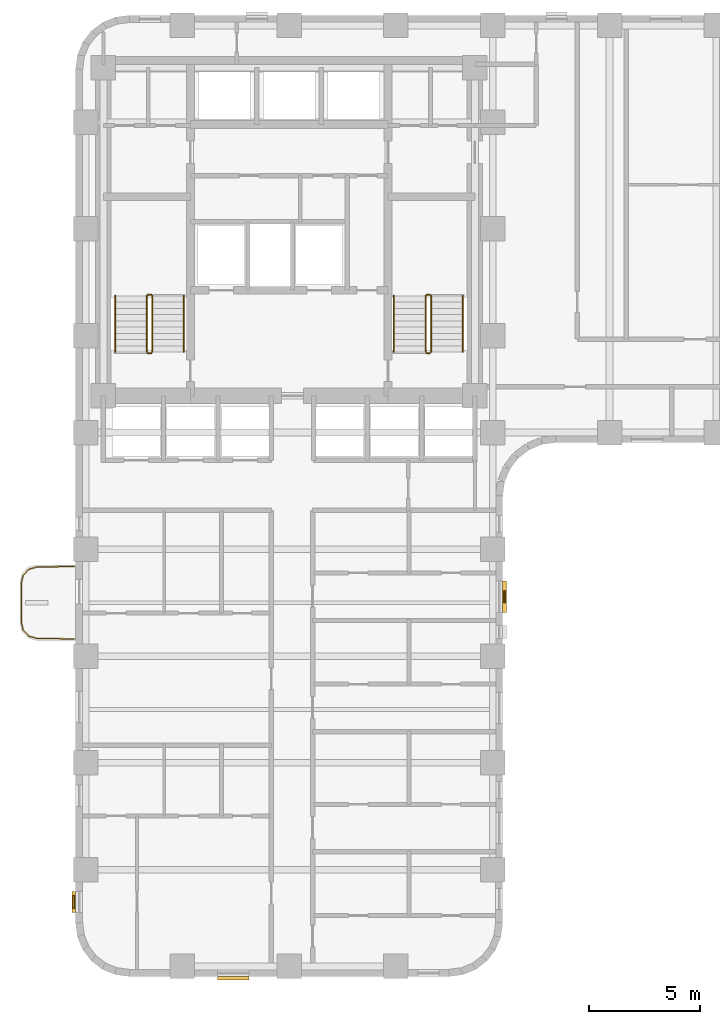
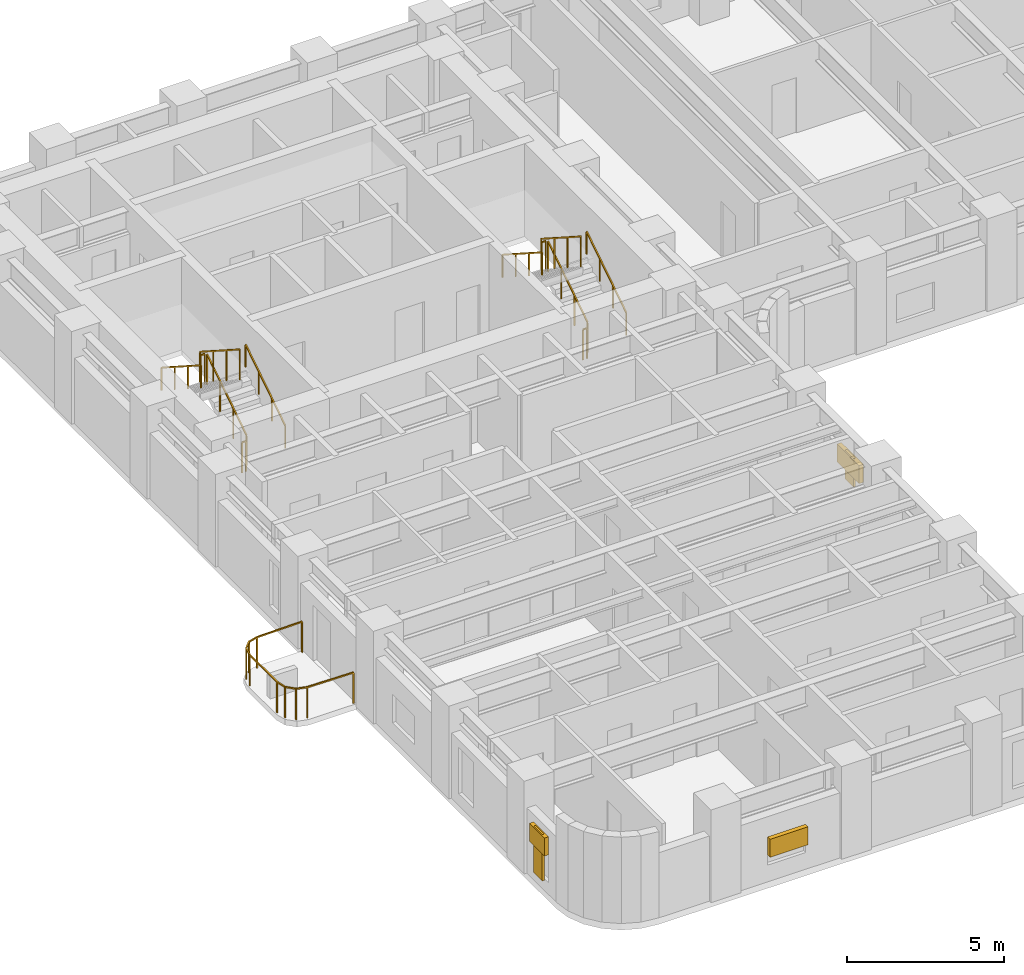
# One storey, part 9 of 12: 13 railings, 5 shading devices.
"""IFC4 building model written with IfcOpenShell, lengths in metres."""

import ifcopenshell
import ifcopenshell.guid

model = None  # the IFC model being written
_history = None  # IfcOwnerHistory: only IFC2X3 demands one
_inside = {}  # id of a spatial element -> (the spatial element, [elements in it])
_under = {}  # id of a project, library or spatial element -> (it, [spatial elements below it])
_declared = {}  # id of a project -> (the project, [libraries it declares])
_typed = {}  # id of a type object -> (the type object, [elements of that type])
_made_of = {}  # id of a material, layer set ... -> (it, [elements and type objects made of it])


def new_model(schema):
    """Start an empty IFC model of exactly this schema.

    Asked for "IFC4X3", IfcOpenShell would pick the latest addendum, in which some entities
    have other attributes; the version numbers below select the first issue.
    IFC2X3 requires an IfcOwnerHistory on every rooted entity: one is made here for all.
    """
    global model, _history
    if schema == "IFC4X3":
        model = ifcopenshell.file(schema_version=(4, 3, 0, 0))
    else:
        model = ifcopenshell.file(schema=schema)
    _inside.clear()
    _under.clear()
    _declared.clear()
    _typed.clear()
    _made_of.clear()
    _history = None
    if model.schema == "IFC2X3":
        org = make("IfcOrganization", Name="unknown")
        user = make(
            "IfcPersonAndOrganization",
            ThePerson=make("IfcPerson", FamilyName="unknown"),
            TheOrganization=org,
        )
        app = make(
            "IfcApplication",
            ApplicationDeveloper=org,
            Version="unknown",
            ApplicationFullName="unknown",
            ApplicationIdentifier="unknown",
        )
        _history = make(
            "IfcOwnerHistory",
            OwningUser=user,
            OwningApplication=app,
            ChangeAction="ADDED",
            CreationDate=0,
        )
    return model


def make(cls, **values):
    """One entity of the class cls with the attributes given. An attribute that is None is left unset."""
    return model.create_entity(
        cls, **{name: value for name, value in values.items() if value is not None}
    )


def rooted(cls, **values):
    """An entity with a GlobalId (a new one), such as an element, a storey or a relation."""
    return make(cls, GlobalId=ifcopenshell.guid.new(), OwnerHistory=_history, **values)


def si_unit(unit_type, name, prefix=None):
    """IfcSIUnit, for example si_unit("LENGTHUNIT", "METRE", prefix="MILLI")."""
    return make("IfcSIUnit", UnitType=unit_type, Prefix=prefix, Name=name)


def assignment(units):
    """IfcUnitAssignment: the units of a project."""
    return None if units is None else make("IfcUnitAssignment", Units=units)


def point(xyz):
    """IfcCartesianPoint."""
    return None if xyz is None else make("IfcCartesianPoint", Coordinates=xyz)


def direction(xyz):
    """IfcDirection."""
    return None if xyz is None else make("IfcDirection", DirectionRatios=xyz)


def frame(location, z_axis=None, x_axis=None):
    """IfcAxis2Placement3D, a coordinate frame: its origin and axes. An axis left out is left unset."""
    return make(
        "IfcAxis2Placement3D",
        Location=point(location),
        Axis=direction(z_axis),
        RefDirection=direction(x_axis),
    )


def frame_2d(location, x_axis=None):
    """IfcAxis2Placement2D, a coordinate frame in the plane: its origin and x axis."""
    return make(
        "IfcAxis2Placement2D", Location=point(location), RefDirection=direction(x_axis)
    )


def origin():
    """The frame at (0, 0, 0) with its axes left unset."""
    return frame((0.0, 0.0, 0.0))


def origin_2d():
    """The frame at (0, 0) in the plane with its x axis left unset."""
    return frame_2d((0.0, 0.0))


def place(relative_to, where):
    """IfcLocalPlacement: puts the frame where relative to a parent placement (None: the world)."""
    return make(
        "IfcLocalPlacement", PlacementRelTo=relative_to, RelativePlacement=where
    )


def context(
    kind, dimensions, precision=None, world=None, true_north=None, identifier=None
):
    """IfcGeometricRepresentationContext, for example the 3D "Model" context."""
    return make(
        "IfcGeometricRepresentationContext",
        ContextIdentifier=identifier,
        ContextType=kind,
        CoordinateSpaceDimension=dimensions,
        Precision=precision,
        WorldCoordinateSystem=world,
        TrueNorth=true_north,
    )


def subcontext(parent, identifier, kind, view, scale=None):
    """IfcGeometricRepresentationSubContext, for example "Body" below "Model"."""
    return make(
        "IfcGeometricRepresentationSubContext",
        ContextIdentifier=identifier,
        ContextType=kind,
        ParentContext=parent,
        TargetScale=scale,
        TargetView=view,
    )


def project(units=None, contexts=None):
    """IfcProject with its units and contexts."""
    return rooted(
        "IfcProject",
        Name="project",
        RepresentationContexts=contexts,
        UnitsInContext=assignment(units),
    )


def spatial(cls, under=None, at=None, **own):
    """A site, building, storey or space (cls), placed at a placement, below another one or the project."""
    s = rooted(cls, ObjectPlacement=at, **own)
    if under is not None:
        _under.setdefault(under.id(), (under, []))[1].append(s)
    return s


def profile(cls, at=None, kind="AREA", **sizes):
    """A parametric profile (cls). Its sizes go by their IFC names, for example OverallWidth=200.0."""
    return make(cls, ProfileType=kind, Position=at, **sizes)


def rectangle(**sizes):
    """IfcRectangleProfileDef."""
    return profile("IfcRectangleProfileDef", **sizes)


def extrude(swept, where, along, depth):
    """IfcExtrudedAreaSolid: the profile swept, set in the frame where, extruded along a direction by depth."""
    return make(
        "IfcExtrudedAreaSolid",
        SweptArea=swept,
        Position=where,
        ExtrudedDirection=direction(along),
        Depth=depth,
    )


def shape(context_of_items, identifier, shape_type, items):
    """IfcShapeRepresentation: the items that make up one representation, for example the "Body"."""
    return make(
        "IfcShapeRepresentation",
        ContextOfItems=context_of_items,
        RepresentationIdentifier=identifier,
        RepresentationType=shape_type,
        Items=items,
    )


def material(Name=None, Category=None):
    """IfcMaterial."""
    return make("IfcMaterial", Name=Name, Category=Category)


def made_of(thing, what):
    """Note that an element or type object is made of a material, layer set ...; save() writes the relation."""
    if what is not None:
        _made_of.setdefault(what.id(), (what, []))[1].append(thing)
    return thing


def type_object(cls, material=None, **own):
    """A type object (cls), such as IfcWallType, which elements share."""
    return made_of(rooted(cls, **own), material)


def element(
    cls,
    number,
    at=None,
    inside=None,
    cuts=None,
    type_object=None,
    material=None,
    context=None,
    identifier="Body",
    shape_type=None,
    held_by="IfcProductDefinitionShape",
    body=None,
    shapes=None,
    **own,
):
    """One element of the class cls, such as IfcWall. Its Tag is "e" and its number.

    at: its placement. inside: the storey or other place that contains it. cuts: it is an
    opening in that element (IfcRelVoidsElement). A single representation is given by context,
    identifier, shape_type and body (its items); several are given by shapes. held_by: the class
    of the entity that holds the representations. save() writes the other relations.
    """
    e = rooted(cls, Tag="e%d" % number, ObjectPlacement=at, **own)
    if body is not None:
        shapes = [shape(context, identifier, shape_type, body)]
    if shapes is not None:
        e.Representation = make(held_by, Representations=shapes)
    if inside is not None:
        _inside.setdefault(inside.id(), (inside, []))[1].append(e)
    if cuts is not None:
        rooted(
            "IfcRelVoidsElement", RelatingBuildingElement=cuts, RelatedOpeningElement=e
        )
    if type_object is not None:
        _typed.setdefault(type_object.id(), (type_object, []))[1].append(e)
    return made_of(e, material)


def aggregate(whole, parts):
    """IfcRelAggregates: a whole, such as a stair, and the parts it consists of."""
    return rooted("IfcRelAggregates", RelatingObject=whole, RelatedObjects=parts)


def save(model, path):
    """Write the relations noted so far, then the file.

    IfcRelAggregates (storeys below a building ...), IfcRelContainedInSpatialStructure (elements
    in a storey), IfcRelDefinesByType, IfcRelAssociatesMaterial and IfcRelDeclares: one each for
    every whole, place, type object, material and project.
    """
    for whole, parts in _under.values():
        aggregate(whole, parts)
    for where, things in _inside.values():
        rooted(
            "IfcRelContainedInSpatialStructure",
            RelatedElements=things,
            RelatingStructure=where,
        )
    for kind, things in _typed.values():
        rooted("IfcRelDefinesByType", RelatedObjects=things, RelatingType=kind)
    for what, things in _made_of.values():
        rooted("IfcRelAssociatesMaterial", RelatedObjects=things, RelatingMaterial=what)
    for by, libraries in _declared.values():
        rooted("IfcRelDeclares", RelatingContext=by, RelatedDefinitions=libraries)
    model.write(path)


model = new_model("IFC4")

# Units and contexts
model_context = context("Model", 3, precision=1e-05, world=origin(), true_north=direction((0.0, 1.0)))
body_context = subcontext(model_context, "Body", "Model", "MODEL_VIEW")
ifc_project = project(units=[si_unit("LENGTHUNIT", "METRE"), si_unit("AREAUNIT", "SQUARE_METRE"), si_unit("VOLUMEUNIT", "CUBIC_METRE"), si_unit("PLANEANGLEUNIT", "RADIAN"), si_unit("MASSUNIT", "GRAM", prefix="KILO")], contexts=[model_context])

# Site, building, storey
site_placement = place(None, origin())
site = spatial("IfcSite", under=ifc_project, at=site_placement, CompositionType="ELEMENT")
building_placement = place(site_placement, origin())
building = spatial("IfcBuilding", under=site, at=building_placement, Name="Orvandelia Arch Residences", CompositionType="ELEMENT")
storey_placement = place(building_placement, frame((0.0, 0.0, 57.39990234375)))
storey = spatial("IfcBuildingStorey", under=building, at=storey_placement, Name="L14", CompositionType="ELEMENT", Elevation=57.39990234375)

# Railings
ifc_material_1 = material(Name="Marine-Grade Stainless Steel 316", Category="steel")
railing_type_1 = type_object("IfcRailingType", Name="GRD-BAL-1200", PredefinedType="BALUSTRADE", material=ifc_material_1)
railing_1_placement = place(storey_placement, frame((4.728271484375, 23.23046875, 0.0)))
element("IfcRailing", 1, at=railing_1_placement, inside=storey, type_object=railing_type_1, Name="Safety Balustrade Guard GRD-L14-BAL-L14-W1-1", PredefinedType="BALUSTRADE", context=body_context, shape_type="SweptSolid", body=[
    extrude(rectangle(XDim=0.048095703125, YDim=0.048095703125, at=origin_2d()), frame((0.0, 0.0, 1.19580078125), z_axis=(-0.999834751713, -0.018178813668, 0.0), x_axis=(0.018178813668, -0.999834751713, 0.0)), (0.0, 0.0, 1.0), 1.6787109375),
    extrude(rectangle(XDim=0.048095703125, YDim=0.048095703125, at=origin_2d()), frame((-1.678466796875, -0.030517578125, 1.19580078125), z_axis=(-0.96348920644, -0.267747173792, 0.0), x_axis=(0.267747173792, -0.96348920644, 0.0)), (0.0, 0.0, 1.0), 0.36572265625),
    extrude(rectangle(XDim=0.048095703125, YDim=0.048095703125, at=origin_2d()), frame((-2.03076171875, -0.12841796875, 1.19580078125), z_axis=(-0.688627404251, -0.725115368831, 0.0), x_axis=(0.725115368831, -0.688627404251, 0.0)), (0.0, 0.0, 1.0), 0.367919921875),
    extrude(rectangle(XDim=0.048095703125, YDim=0.048095703125, at=origin_2d()), frame((-2.2841796875, -0.395263671875, 1.19580078125), z_axis=(-0.220461657419, -0.975395641577, 0.0), x_axis=(0.975395641577, -0.220461657419, 0.0)), (0.0, 0.0, 1.0), 0.373291015625),
    extrude(rectangle(XDim=0.048095703125, YDim=0.048095703125, at=origin_2d()), frame((-2.366455078125, -0.75927734375, 1.19580078125), z_axis=(0.0, -1.0, 0.0), x_axis=(1.0, 0.0, 0.0)), (0.0, 0.0, 1.0), 1.742431640625),
    extrude(rectangle(XDim=0.048095703125, YDim=0.048095703125, at=origin_2d()), frame((-2.366455078125, -2.501708984375, 1.19580078125), z_axis=(0.220602419982, -0.975363815352, 0.0), x_axis=(0.975363815352, 0.220602419982, 0.0)), (0.0, 0.0, 1.0), 0.373046875),
    extrude(rectangle(XDim=0.048095703125, YDim=0.048095703125, at=origin_2d()), frame((-2.2841796875, -2.865478515625, 1.19580078125), z_axis=(0.688296224633, -0.725429739642, 0.0), x_axis=(0.725429739642, 0.688296224633, 0.0)), (0.0, 0.0, 1.0), 0.3681640625),
    extrude(rectangle(XDim=0.048095703125, YDim=0.048095703125, at=origin_2d()), frame((-2.03076171875, -3.132568359375, 1.19580078125), z_axis=(0.96348920644, -0.267747173792, 0.0), x_axis=(0.267747173792, 0.96348920644, 0.0)), (0.0, 0.0, 1.0), 0.36572265625),
    extrude(rectangle(XDim=0.048095703125, YDim=0.048095703125, at=origin_2d()), frame((-1.678466796875, -3.23046875, 1.19580078125), z_axis=(0.999834751713, -0.018178813668, 0.0), x_axis=(0.018178813668, 0.999834751713, 0.0)), (0.0, 0.0, 1.0), 1.6787109375),
    extrude(rectangle(XDim=0.0419921875, YDim=0.0419921875, at=origin_2d()), origin(), (0.0, 0.0, 1.0), 1.171875),
    extrude(rectangle(XDim=0.0419921875, YDim=0.0419921875, at=origin_2d()), frame((-1.678466796875, -0.030517578125, 0.0)), (0.0, 0.0, 1.0), 1.171875),
    extrude(rectangle(XDim=0.0419921875, YDim=0.0419921875, at=origin_2d()), frame((-2.03076171875, -0.12841796875, 0.0)), (0.0, 0.0, 1.0), 1.171875),
    extrude(rectangle(XDim=0.0419921875, YDim=0.0419921875, at=origin_2d()), frame((-2.2841796875, -0.395263671875, 0.0)), (0.0, 0.0, 1.0), 1.171875),
    extrude(rectangle(XDim=0.0419921875, YDim=0.0419921875, at=origin_2d()), frame((-2.366455078125, -0.75927734375, 0.0)), (0.0, 0.0, 1.0), 1.171875),
    extrude(rectangle(XDim=0.0419921875, YDim=0.0419921875, at=origin_2d()), frame((-2.366455078125, -2.501708984375, 0.0)), (0.0, 0.0, 1.0), 1.171875),
    extrude(rectangle(XDim=0.0419921875, YDim=0.0419921875, at=origin_2d()), frame((-2.2841796875, -2.865478515625, 0.0)), (0.0, 0.0, 1.0), 1.171875),
    extrude(rectangle(XDim=0.0419921875, YDim=0.0419921875, at=origin_2d()), frame((-2.03076171875, -3.132568359375, 0.0)), (0.0, 0.0, 1.0), 1.171875),
    extrude(rectangle(XDim=0.0419921875, YDim=0.0419921875, at=origin_2d()), frame((-1.678466796875, -3.23046875, 0.0)), (0.0, 0.0, 1.0), 1.171875),
    extrude(rectangle(XDim=0.0419921875, YDim=0.0419921875, at=origin_2d()), frame((0.0, -3.260986328125, 0.0)), (0.0, 0.0, 1.0), 1.171875),
])
ifc_material_2 = material(Name="Brushed Stainless Steel 304", Category="steel")
railing_type_2 = type_object("IfcRailingType", Name="RL-STAIR-GD1120", PredefinedType="GUARDRAIL", material=ifc_material_2)
railing_2_placement = place(storey_placement, frame((8.25, 32.8701171875, 0.18017578125)))
element("IfcRailing", 2, at=railing_2_placement, inside=storey, type_object=railing_type_2, Name="L14 ST-1 stair guard 1", PredefinedType="GUARDRAIL", context=body_context, shape_type="SweptSolid", body=[
    extrude(rectangle(XDim=0.048095703125, YDim=0.048095703125, at=origin_2d()), frame((0.0, 0.0, 1.17578125), z_axis=(0.0, 0.841175827307, 0.540761710511), x_axis=(-1.0, 0.0, 0.0)), (0.0, 0.0, 1.0), 2.99560546875),
    extrude(rectangle(XDim=0.0419921875, YDim=0.0419921875, at=origin_2d()), origin(), (0.0, 0.0, 1.0), 1.15185546875),
    extrude(rectangle(XDim=0.0419921875, YDim=0.0419921875, at=origin_2d()), frame((0.0, 0.83984375, 0.5400390625)), (0.0, 0.0, 1.0), 1.15185546875),
    extrude(rectangle(XDim=0.0419921875, YDim=0.0419921875, at=origin_2d()), frame((0.0, 1.679931640625, 1.079833984375)), (0.0, 0.0, 1.0), 1.15185546875),
    extrude(rectangle(XDim=0.0419921875, YDim=0.0419921875, at=origin_2d()), frame((0.0, 2.519775390625, 1.619873046875)), (0.0, 0.0, 1.0), 1.15185546875),
])
railing_3_placement = place(storey_placement, frame((8.199951171875, 35.43994140625, 1.800048828125)))
element("IfcRailing", 3, at=railing_3_placement, inside=storey, type_object=railing_type_2, Name="L14 ST-1 stair guard 2", PredefinedType="GUARDRAIL", context=body_context, shape_type="SweptSolid", body=[
    extrude(rectangle(XDim=0.048095703125, YDim=0.048095703125, at=origin_2d()), frame((0.0, 0.0, 1.17578125), z_axis=(-1.0, 0.0, 0.0), x_axis=(0.0, -1.0, 0.0)), (0.0, 0.0, 1.0), 0.14990234375),
    extrude(rectangle(XDim=0.0419921875, YDim=0.0419921875, at=origin_2d()), origin(), (0.0, 0.0, 1.0), 1.15185546875),
    extrude(rectangle(XDim=0.0419921875, YDim=0.0419921875, at=origin_2d()), frame((-0.14990234375, 0.0, 0.0)), (0.0, 0.0, 1.0), 1.15185546875),
])
railing_4_placement = place(storey_placement, frame((8.0, 35.389892578125, 1.97998046875)))
element("IfcRailing", 4, at=railing_4_placement, inside=storey, type_object=railing_type_2, Name="L14 ST-1 stair guard 3", PredefinedType="GUARDRAIL", context=body_context, shape_type="SweptSolid", body=[
    extrude(rectangle(XDim=0.048095703125, YDim=0.048095703125, at=origin_2d()), frame((0.0, 0.0, 1.17578125), z_axis=(0.0, -0.841138753965, 0.540819375188), x_axis=(1.0, 0.0, 0.0)), (0.0, 0.0, 1.0), 2.99560546875),
    extrude(rectangle(XDim=0.0419921875, YDim=0.0419921875, at=origin_2d()), origin(), (0.0, 0.0, 1.0), 1.15185546875),
    extrude(rectangle(XDim=0.0419921875, YDim=0.0419921875, at=origin_2d()), frame((0.0, -0.83984375, 0.5400390625)), (0.0, 0.0, 1.0), 1.15185546875),
    extrude(rectangle(XDim=0.0419921875, YDim=0.0419921875, at=origin_2d()), frame((0.0, -1.679931640625, 1.080078125)), (0.0, 0.0, 1.0), 1.15185546875),
    extrude(rectangle(XDim=0.0419921875, YDim=0.0419921875, at=origin_2d()), frame((0.0, -2.519775390625, 1.6201171875)), (0.0, 0.0, 1.0), 1.15185546875),
])
railing_5_placement = place(storey_placement, frame((8.199951171875, 32.820068359375, 0.0)))
element("IfcRailing", 5, at=railing_5_placement, inside=storey, type_object=railing_type_2, Name="L14 ST-1 stair guard 4", PredefinedType="GUARDRAIL", context=body_context, shape_type="SweptSolid", body=[
    extrude(rectangle(XDim=0.048095703125, YDim=0.048095703125, at=origin_2d()), frame((0.0, 0.0, 1.17578125), z_axis=(-1.0, 0.0, 0.0), x_axis=(0.0, -1.0, 0.0)), (0.0, 0.0, 1.0), 0.14990234375),
    extrude(rectangle(XDim=0.0419921875, YDim=0.0419921875, at=origin_2d()), origin(), (0.0, 0.0, 1.0), 1.15185546875),
    extrude(rectangle(XDim=0.0419921875, YDim=0.0419921875, at=origin_2d()), frame((-0.14990234375, 0.0, 0.0)), (0.0, 0.0, 1.0), 1.15185546875),
])
railing_6_placement = place(storey_placement, frame((20.780029296875, 32.8701171875, 0.18017578125)))
element("IfcRailing", 6, at=railing_6_placement, inside=storey, type_object=railing_type_2, Name="L14 ST-2 stair guard 1", PredefinedType="GUARDRAIL", context=body_context, shape_type="SweptSolid", body=[
    extrude(rectangle(XDim=0.048095703125, YDim=0.048095703125, at=origin_2d()), frame((0.0, 0.0, 1.17578125), z_axis=(0.0, 0.841175827307, 0.540761710511), x_axis=(-1.0, 0.0, 0.0)), (0.0, 0.0, 1.0), 2.99560546875),
    extrude(rectangle(XDim=0.0419921875, YDim=0.0419921875, at=origin_2d()), origin(), (0.0, 0.0, 1.0), 1.15185546875),
    extrude(rectangle(XDim=0.0419921875, YDim=0.0419921875, at=origin_2d()), frame((0.0, 0.83984375, 0.5400390625)), (0.0, 0.0, 1.0), 1.15185546875),
    extrude(rectangle(XDim=0.0419921875, YDim=0.0419921875, at=origin_2d()), frame((0.0, 1.679931640625, 1.079833984375)), (0.0, 0.0, 1.0), 1.15185546875),
    extrude(rectangle(XDim=0.0419921875, YDim=0.0419921875, at=origin_2d()), frame((0.0, 2.519775390625, 1.619873046875)), (0.0, 0.0, 1.0), 1.15185546875),
])
railing_7_placement = place(storey_placement, frame((20.72998046875, 35.43994140625, 1.800048828125)))
element("IfcRailing", 7, at=railing_7_placement, inside=storey, type_object=railing_type_2, Name="L14 ST-2 stair guard 2", PredefinedType="GUARDRAIL", context=body_context, shape_type="SweptSolid", body=[
    extrude(rectangle(XDim=0.048095703125, YDim=0.048095703125, at=origin_2d()), frame((0.0, 0.0, 1.17578125), z_axis=(-1.0, 0.0, 0.0), x_axis=(0.0, -1.0, 0.0)), (0.0, 0.0, 1.0), 0.14990234375),
    extrude(rectangle(XDim=0.0419921875, YDim=0.0419921875, at=origin_2d()), origin(), (0.0, 0.0, 1.0), 1.15185546875),
    extrude(rectangle(XDim=0.0419921875, YDim=0.0419921875, at=origin_2d()), frame((-0.14990234375, 0.0, 0.0)), (0.0, 0.0, 1.0), 1.15185546875),
])
railing_8_placement = place(storey_placement, frame((20.530029296875, 35.389892578125, 1.97998046875)))
element("IfcRailing", 8, at=railing_8_placement, inside=storey, type_object=railing_type_2, Name="L14 ST-2 stair guard 3", PredefinedType="GUARDRAIL", context=body_context, shape_type="SweptSolid", body=[
    extrude(rectangle(XDim=0.048095703125, YDim=0.048095703125, at=origin_2d()), frame((0.0, 0.0, 1.17578125), z_axis=(0.0, -0.841138753965, 0.540819375188), x_axis=(1.0, 0.0, 0.0)), (0.0, 0.0, 1.0), 2.99560546875),
    extrude(rectangle(XDim=0.0419921875, YDim=0.0419921875, at=origin_2d()), origin(), (0.0, 0.0, 1.0), 1.15185546875),
    extrude(rectangle(XDim=0.0419921875, YDim=0.0419921875, at=origin_2d()), frame((0.0, -0.83984375, 0.5400390625)), (0.0, 0.0, 1.0), 1.15185546875),
    extrude(rectangle(XDim=0.0419921875, YDim=0.0419921875, at=origin_2d()), frame((0.0, -1.679931640625, 1.080078125)), (0.0, 0.0, 1.0), 1.15185546875),
    extrude(rectangle(XDim=0.0419921875, YDim=0.0419921875, at=origin_2d()), frame((0.0, -2.519775390625, 1.6201171875)), (0.0, 0.0, 1.0), 1.15185546875),
])
railing_9_placement = place(storey_placement, frame((20.72998046875, 32.820068359375, 0.0)))
element("IfcRailing", 9, at=railing_9_placement, inside=storey, type_object=railing_type_2, Name="L14 ST-2 stair guard 4", PredefinedType="GUARDRAIL", context=body_context, shape_type="SweptSolid", body=[
    extrude(rectangle(XDim=0.048095703125, YDim=0.048095703125, at=origin_2d()), frame((0.0, 0.0, 1.17578125), z_axis=(-1.0, 0.0, 0.0), x_axis=(0.0, -1.0, 0.0)), (0.0, 0.0, 1.0), 0.14990234375),
    extrude(rectangle(XDim=0.0419921875, YDim=0.0419921875, at=origin_2d()), origin(), (0.0, 0.0, 1.0), 1.15185546875),
    extrude(rectangle(XDim=0.0419921875, YDim=0.0419921875, at=origin_2d()), frame((-0.14990234375, 0.0, 0.0)), (0.0, 0.0, 1.0), 1.15185546875),
])
railing_type_3 = type_object("IfcRailingType", Name="RL-STAIR-HR920", PredefinedType="HANDRAIL", material=ifc_material_2)
railing_10_placement = place(storey_placement, frame((9.669921875, 32.8701171875, 0.360107421875)))
element("IfcRailing", 10, at=railing_10_placement, inside=storey, type_object=railing_type_3, Name="L14 ST-1 stair handrail 1", PredefinedType="HANDRAIL", context=body_context, shape_type="SweptSolid", body=[
    extrude(rectangle(XDim=0.048095703125, YDim=0.048095703125, at=origin_2d()), frame((0.0, 0.0, 0.8759765625), z_axis=(0.0, 0.841175827307, 0.540761710511), x_axis=(-1.0, 0.0, 0.0)), (0.0, 0.0, 1.0), 2.99560546875),
    extrude(rectangle(XDim=0.0419921875, YDim=0.0419921875, at=origin_2d()), origin(), (0.0, 0.0, 1.0), 0.851806640625),
    extrude(rectangle(XDim=0.0419921875, YDim=0.0419921875, at=origin_2d()), frame((0.0, 0.83984375, 0.5400390625)), (0.0, 0.0, 1.0), 0.851806640625),
    extrude(rectangle(XDim=0.0419921875, YDim=0.0419921875, at=origin_2d()), frame((0.0, 1.679931640625, 1.079833984375)), (0.0, 0.0, 1.0), 0.851806640625),
    extrude(rectangle(XDim=0.0419921875, YDim=0.0419921875, at=origin_2d()), frame((0.0, 2.519775390625, 1.619873046875)), (0.0, 0.0, 1.0), 0.851806640625),
])
railing_11_placement = place(storey_placement, frame((6.580078125, 35.389892578125, 2.16015625)))
element("IfcRailing", 11, at=railing_11_placement, inside=storey, type_object=railing_type_3, Name="L14 ST-1 stair handrail 2", PredefinedType="HANDRAIL", context=body_context, shape_type="SweptSolid", body=[
    extrude(rectangle(XDim=0.048095703125, YDim=0.048095703125, at=origin_2d()), frame((0.0, 0.0, 0.8759765625), z_axis=(0.0, -0.841175827307, 0.540761710511), x_axis=(1.0, 0.0, 0.0)), (0.0, 0.0, 1.0), 2.99560546875),
    extrude(rectangle(XDim=0.0419921875, YDim=0.0419921875, at=origin_2d()), origin(), (0.0, 0.0, 1.0), 0.851806640625),
    extrude(rectangle(XDim=0.0419921875, YDim=0.0419921875, at=origin_2d()), frame((0.0, -0.83984375, 0.5400390625)), (0.0, 0.0, 1.0), 0.851806640625),
    extrude(rectangle(XDim=0.0419921875, YDim=0.0419921875, at=origin_2d()), frame((0.0, -1.679931640625, 1.079833984375)), (0.0, 0.0, 1.0), 0.851806640625),
    extrude(rectangle(XDim=0.0419921875, YDim=0.0419921875, at=origin_2d()), frame((0.0, -2.519775390625, 1.619873046875)), (0.0, 0.0, 1.0), 0.851806640625),
])
railing_12_placement = place(storey_placement, frame((22.199951171875, 32.8701171875, 0.360107421875)))
element("IfcRailing", 12, at=railing_12_placement, inside=storey, type_object=railing_type_3, Name="L14 ST-2 stair handrail 1", PredefinedType="HANDRAIL", context=body_context, shape_type="SweptSolid", body=[
    extrude(rectangle(XDim=0.048095703125, YDim=0.048095703125, at=origin_2d()), frame((0.0, 0.0, 0.8759765625), z_axis=(0.0, 0.841175827307, 0.540761710511), x_axis=(-1.0, 0.0, 0.0)), (0.0, 0.0, 1.0), 2.99560546875),
    extrude(rectangle(XDim=0.0419921875, YDim=0.0419921875, at=origin_2d()), origin(), (0.0, 0.0, 1.0), 0.851806640625),
    extrude(rectangle(XDim=0.0419921875, YDim=0.0419921875, at=origin_2d()), frame((0.0, 0.83984375, 0.5400390625)), (0.0, 0.0, 1.0), 0.851806640625),
    extrude(rectangle(XDim=0.0419921875, YDim=0.0419921875, at=origin_2d()), frame((0.0, 1.679931640625, 1.079833984375)), (0.0, 0.0, 1.0), 0.851806640625),
    extrude(rectangle(XDim=0.0419921875, YDim=0.0419921875, at=origin_2d()), frame((0.0, 2.519775390625, 1.619873046875)), (0.0, 0.0, 1.0), 0.851806640625),
])
railing_13_placement = place(storey_placement, frame((19.110107421875, 35.389892578125, 2.16015625)))
element("IfcRailing", 13, at=railing_13_placement, inside=storey, type_object=railing_type_3, Name="L14 ST-2 stair handrail 2", PredefinedType="HANDRAIL", context=body_context, shape_type="SweptSolid", body=[
    extrude(rectangle(XDim=0.048095703125, YDim=0.048095703125, at=origin_2d()), frame((0.0, 0.0, 0.8759765625), z_axis=(0.0, -0.841175827307, 0.540761710511), x_axis=(1.0, 0.0, 0.0)), (0.0, 0.0, 1.0), 2.99560546875),
    extrude(rectangle(XDim=0.0419921875, YDim=0.0419921875, at=origin_2d()), origin(), (0.0, 0.0, 1.0), 0.851806640625),
    extrude(rectangle(XDim=0.0419921875, YDim=0.0419921875, at=origin_2d()), frame((0.0, -0.83984375, 0.5400390625)), (0.0, 0.0, 1.0), 0.851806640625),
    extrude(rectangle(XDim=0.0419921875, YDim=0.0419921875, at=origin_2d()), frame((0.0, -1.679931640625, 1.079833984375)), (0.0, 0.0, 1.0), 0.851806640625),
    extrude(rectangle(XDim=0.0419921875, YDim=0.0419921875, at=origin_2d()), frame((0.0, -2.519775390625, 1.619873046875)), (0.0, 0.0, 1.0), 0.851806640625),
])

# Shading devices
ifc_material_3 = material(Name="Anodised Champagne-Bronze Extruded Aluminium", Category="aluminium")
shading_device_type_1 = type_object("IfcShadingDeviceType", Name="SHD-JALOUSIE-SCREEN", PredefinedType="JALOUSIE", material=ifc_material_3)
for number, where, z_axis, x_axis, name in (
    (14, (24.080078125, 21.8701171875, 1.05029296875), (0.0, 0.0, 1.0), (0.0, -1.0, 0.0), "Bronze Jalousie Sun-Shade L14-006"),
    (15, (11.885009765625, 4.719970703125, 1.05029296875), (0.0, 0.0, 1.0), (-1.0, 0.0, 0.0), "Bronze Jalousie Sun-Shade L14-008"),
):
    element("IfcShadingDevice", number, at=place(storey_placement, frame(where, z_axis=z_axis, x_axis=x_axis)), inside=storey, type_object=shading_device_type_1, Name=name, PredefinedType="JALOUSIE", context=body_context, shape_type="SweptSolid", body=[
        extrude(rectangle(XDim=1.39990234375, YDim=0.159912109375, at=origin_2d()), origin(), (0.0, 0.0, 1.0), 0.699951171875),
    ])
shading_device_1_placement = place(storey_placement, frame((4.719970703125, 8.14501953125, 1.55029296875), z_axis=(0.0, 0.0, 1.0), x_axis=(0.0, 1.0, 0.0)))
element("IfcShadingDevice", 16, at=shading_device_1_placement, inside=storey, type_object=shading_device_type_1, Name="Bronze Jalousie Sun-Shade L14-009", PredefinedType="JALOUSIE", context=body_context, shape_type="SweptSolid", body=[
    extrude(rectangle(XDim=0.949951171875, YDim=0.159912109375, at=origin_2d()), origin(), (0.0, 0.0, 1.0), 0.699951171875),
])
ifc_material_4 = material(Name="Marine-Grade Perforated Aluminium Storm Shutter", Category="aluminium")
shading_device_type_2 = type_object("IfcShadingDeviceType", Name="SHD-STORM-SHUTTER", PredefinedType="SHUTTER", material=ifc_material_4)
shading_device_2_placement = place(storey_placement, frame((24.080078125, 21.8701171875, 0.650146484375), z_axis=(0.0, 0.0, 1.0), x_axis=(0.0, -1.0, 0.0)))
element("IfcShadingDevice", 17, at=shading_device_2_placement, inside=storey, type_object=shading_device_type_2, Name="Operable Typhoon Storm Shutter L14-006", PredefinedType="SHUTTER", context=body_context, shape_type="SweptSolid", body=[
    extrude(rectangle(XDim=0.550048828125, YDim=0.080078125, at=origin_2d()), origin(), (0.0, 0.0, 1.0), 1.10009765625),
])
shading_device_3_placement = place(storey_placement, frame((4.719970703125, 8.14501953125, 0.4501953125), z_axis=(0.0, 0.0, 1.0), x_axis=(0.0, 1.0, 0.0)))
element("IfcShadingDevice", 18, at=shading_device_3_placement, inside=storey, type_object=shading_device_type_2, Name="Operable Typhoon Storm Shutter L14-009", PredefinedType="SHUTTER", context=body_context, shape_type="SweptSolid", body=[
    extrude(rectangle(XDim=0.550048828125, YDim=0.080078125, at=origin_2d()), origin(), (0.0, 0.0, 1.0), 1.800048828125),
])

save(model, "model.ifc")
